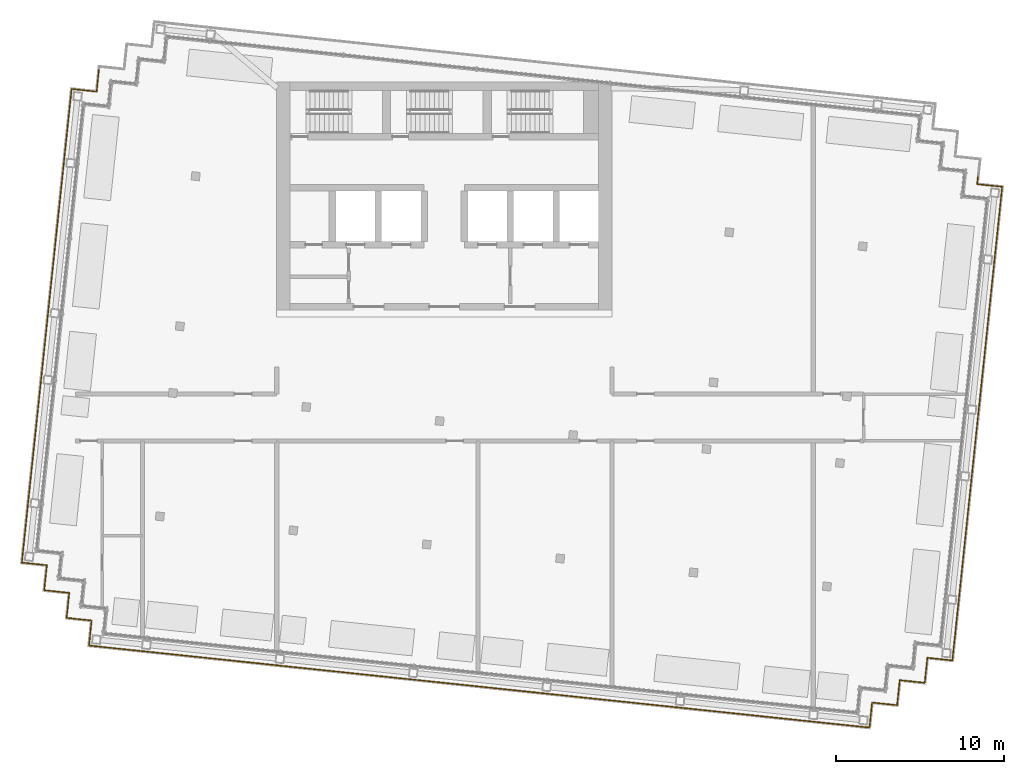
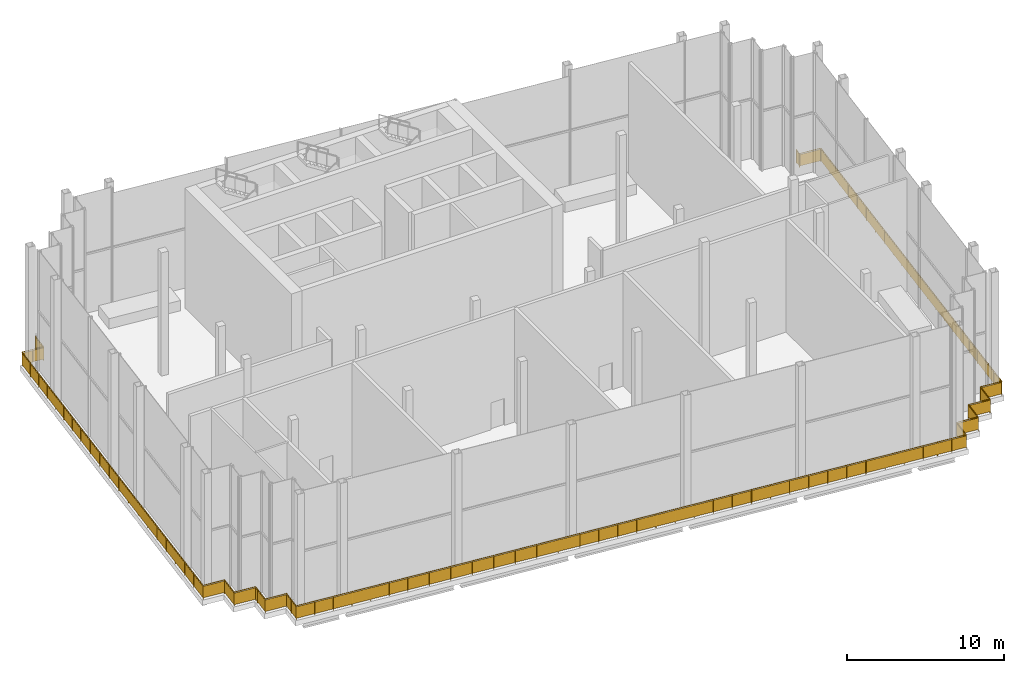
# One storey, part 11 of 14: 11 railings.
"""IFC4 building model written with IfcOpenShell, lengths in metres."""

from ifc_helpers import new_model, si_unit, direction, frame, origin, origin_2d, place, context, subcontext, project, spatial, rectangle, circle, extrude, material, type_object, element, save


model = new_model("IFC4")

# Units and contexts
model_context = context("Model", 3, precision=1e-05, world=origin(), true_north=direction((0.0, 1.0)))
body_context = subcontext(model_context, "Body", "Model", "MODEL_VIEW")
ifc_project = project(units=[si_unit("LENGTHUNIT", "METRE"), si_unit("AREAUNIT", "SQUARE_METRE"), si_unit("VOLUMEUNIT", "CUBIC_METRE"), si_unit("PLANEANGLEUNIT", "RADIAN"), si_unit("MASSUNIT", "GRAM", prefix="KILO")], contexts=[model_context])

# Site, building, storey
site_placement = place(None, origin())
site = spatial("IfcSite", under=ifc_project, at=site_placement, CompositionType="ELEMENT")
building_placement = place(site_placement, origin())
building = spatial("IfcBuilding", under=site, at=building_placement, Name="Vidyagriha Tower", CompositionType="ELEMENT")
storey_placement = place(building_placement, frame((0.0, 0.0, 281.89990234375)))
storey = spatial("IfcBuildingStorey", under=building, at=storey_placement, Name="L74", CompositionType="ELEMENT", Elevation=281.89990234375)

# Railings
ifc_material = material(Name="Steel ASTM A500 Grade C black painted", Category="steel")
railing_type = type_object("IfcRailingType", Name="Gallery guard 1100", PredefinedType="GUARDRAIL", material=ifc_material)
railing_1_placement = place(storey_placement, frame((30.297607421875, -14.485595703125, 0.0)))
element("IfcRailing", 1, at=railing_1_placement, inside=storey, type_object=railing_type, Name="Gallery guard L74 1", PredefinedType="GUARDRAIL", context=body_context, shape_type="SweptSolid", body=[
    extrude(circle(Radius=0.02490234375, at=origin_2d()), frame((0.0, 0.0, 1.0751953125), z_axis=(-0.994525057048, 0.104498377516, 0.0), x_axis=(-0.104498377516, -0.994525057048, 0.0)), (0.0, 0.0, 1.0), 1.5),
    extrude(circle(Radius=0.02490234375, at=origin_2d()), frame((-1.49169921875, 0.15673828125, 1.0751953125), z_axis=(-0.104498377516, -0.994525057048, 0.0), x_axis=(0.994525057048, -0.104498377516, 0.0)), (0.0, 0.0, 1.0), 1.5),
    extrude(circle(Radius=0.02490234375, at=origin_2d()), frame((-1.6484375, -1.3349609375, 1.0751953125), z_axis=(-0.994525057048, 0.104498377516, 0.0), x_axis=(-0.104498377516, -0.994525057048, 0.0)), (0.0, 0.0, 1.0), 1.5),
    extrude(circle(Radius=0.02490234375, at=origin_2d()), frame((-3.14013671875, -1.17822265625, 1.0751953125), z_axis=(-0.104659366031, -0.994508128223, 0.0), x_axis=(0.994508128223, -0.104659366031, 0.0)), (0.0, 0.0, 1.0), 1.5),
    extrude(circle(Radius=0.02490234375, at=origin_2d()), frame((-3.297119140625, -2.669921875, 1.0751953125), z_axis=(-0.994525057048, 0.104498377516, 0.0), x_axis=(-0.104498377516, -0.994525057048, 0.0)), (0.0, 0.0, 1.0), 1.5),
    extrude(circle(Radius=0.02490234375, at=origin_2d()), frame((-4.788818359375, -2.51318359375, 1.0751953125), z_axis=(-0.104498377516, -0.994525057048, 0.0), x_axis=(0.994525057048, -0.104498377516, 0.0)), (0.0, 0.0, 1.0), 1.5),
    extrude(circle(Radius=0.02490234375, at=origin_2d()), frame((-4.945556640625, -4.0048828125, 1.0751953125), z_axis=(-0.994525945657, 0.104489920156, 0.0), x_axis=(-0.104489920156, -0.994525945657, 0.0)), (0.0, 0.0, 1.0), 3.0),
    extrude(circle(Radius=0.02001953125, at=origin_2d()), origin(), (0.0, 0.0, 1.0), 1.050048828125),
    extrude(circle(Radius=0.02001953125, at=origin_2d()), frame((-1.49169921875, 0.15673828125, 0.0)), (0.0, 0.0, 1.0), 1.050048828125),
    extrude(circle(Radius=0.02001953125, at=origin_2d()), frame((-1.6484375, -1.3349609375, 0.0)), (0.0, 0.0, 1.0), 1.050048828125),
    extrude(circle(Radius=0.02001953125, at=origin_2d()), frame((-3.14013671875, -1.17822265625, 0.0)), (0.0, 0.0, 1.0), 1.050048828125),
    extrude(circle(Radius=0.02001953125, at=origin_2d()), frame((-3.297119140625, -2.669921875, 0.0)), (0.0, 0.0, 1.0), 1.050048828125),
    extrude(circle(Radius=0.02001953125, at=origin_2d()), frame((-4.788818359375, -2.51318359375, 0.0)), (0.0, 0.0, 1.0), 1.050048828125),
    extrude(circle(Radius=0.02001953125, at=origin_2d()), frame((-4.945556640625, -4.0048828125, 0.0)), (0.0, 0.0, 1.0), 1.050048828125),
    extrude(circle(Radius=0.02001953125, at=origin_2d()), frame((-5.940185546875, -3.900390625, 0.0)), (0.0, 0.0, 1.0), 1.050048828125),
    extrude(circle(Radius=0.02001953125, at=origin_2d()), frame((-6.9345703125, -3.7958984375, 0.0)), (0.0, 0.0, 1.0), 1.050048828125),
    extrude(circle(Radius=0.02001953125, at=origin_2d()), frame((-7.92919921875, -3.69140625, 0.0)), (0.0, 0.0, 1.0), 1.050048828125),
    extrude(rectangle(XDim=0.010009765625, YDim=0.900146484375, at=origin_2d()), frame((0.0, 0.0, 0.550048828125), z_axis=(-0.994525057048, 0.104498377516, 0.0), x_axis=(-0.104498377516, -0.994525057048, 0.0)), (0.0, 0.0, 1.0), 1.5),
    extrude(rectangle(XDim=0.010009765625, YDim=0.900146484375, at=origin_2d()), frame((-1.49169921875, 0.15673828125, 0.550048828125), z_axis=(-0.104498377516, -0.994525057048, 0.0), x_axis=(0.994525057048, -0.104498377516, 0.0)), (0.0, 0.0, 1.0), 1.5),
    extrude(rectangle(XDim=0.010009765625, YDim=0.900146484375, at=origin_2d()), frame((-1.6484375, -1.3349609375, 0.550048828125), z_axis=(-0.994525057048, 0.104498377516, 0.0), x_axis=(-0.104498377516, -0.994525057048, 0.0)), (0.0, 0.0, 1.0), 1.5),
    extrude(rectangle(XDim=0.010009765625, YDim=0.900146484375, at=origin_2d()), frame((-3.14013671875, -1.17822265625, 0.550048828125), z_axis=(-0.104659366031, -0.994508128223, 0.0), x_axis=(0.994508128223, -0.104659366031, 0.0)), (0.0, 0.0, 1.0), 1.5),
    extrude(rectangle(XDim=0.010009765625, YDim=0.900146484375, at=origin_2d()), frame((-3.297119140625, -2.669921875, 0.550048828125), z_axis=(-0.994525057048, 0.104498377516, 0.0), x_axis=(-0.104498377516, -0.994525057048, 0.0)), (0.0, 0.0, 1.0), 1.5),
    extrude(rectangle(XDim=0.010009765625, YDim=0.900146484375, at=origin_2d()), frame((-4.788818359375, -2.51318359375, 0.550048828125), z_axis=(-0.104498377516, -0.994525057048, 0.0), x_axis=(0.994525057048, -0.104498377516, 0.0)), (0.0, 0.0, 1.0), 1.5),
    extrude(rectangle(XDim=0.010009765625, YDim=0.900146484375, at=origin_2d()), frame((-4.945556640625, -4.0048828125, 0.550048828125), z_axis=(-0.994525945657, 0.104489920156, 0.0), x_axis=(-0.104489920156, -0.994525945657, 0.0)), (0.0, 0.0, 1.0), 3.0),
])
railing_2_placement = place(storey_placement, frame((22.368408203125, -18.177001953125, 0.0)))
element("IfcRailing", 2, at=railing_2_placement, inside=storey, type_object=railing_type, Name="Gallery guard L74 2", PredefinedType="GUARDRAIL", context=body_context, shape_type="SweptSolid", body=[
    extrude(circle(Radius=0.02490234375, at=origin_2d()), frame((0.0, 0.0, 1.0751953125), z_axis=(-0.994521494219, 0.104532279878, 0.0), x_axis=(-0.104532279878, -0.994521494219, 0.0)), (0.0, 0.0, 1.0), 12.0),
    extrude(circle(Radius=0.02001953125, at=origin_2d()), origin(), (0.0, 0.0, 1.0), 1.050048828125),
    extrude(circle(Radius=0.02001953125, at=origin_2d()), frame((-1.325927734375, 0.139404296875, 0.0)), (0.0, 0.0, 1.0), 1.050048828125),
    extrude(circle(Radius=0.02001953125, at=origin_2d()), frame((-2.652099609375, 0.27880859375, 0.0)), (0.0, 0.0, 1.0), 1.050048828125),
    extrude(circle(Radius=0.02001953125, at=origin_2d()), frame((-3.97802734375, 0.418212890625, 0.0)), (0.0, 0.0, 1.0), 1.050048828125),
    extrude(circle(Radius=0.02001953125, at=origin_2d()), frame((-5.30419921875, 0.5576171875, 0.0)), (0.0, 0.0, 1.0), 1.050048828125),
    extrude(circle(Radius=0.02001953125, at=origin_2d()), frame((-6.630126953125, 0.69677734375, 0.0)), (0.0, 0.0, 1.0), 1.050048828125),
    extrude(circle(Radius=0.02001953125, at=origin_2d()), frame((-7.956298828125, 0.836181640625, 0.0)), (0.0, 0.0, 1.0), 1.050048828125),
    extrude(circle(Radius=0.02001953125, at=origin_2d()), frame((-9.2822265625, 0.9755859375, 0.0)), (0.0, 0.0, 1.0), 1.050048828125),
    extrude(circle(Radius=0.02001953125, at=origin_2d()), frame((-10.6083984375, 1.114990234375, 0.0)), (0.0, 0.0, 1.0), 1.050048828125),
    extrude(circle(Radius=0.02001953125, at=origin_2d()), frame((-11.934326171875, 1.25439453125, 0.0)), (0.0, 0.0, 1.0), 1.050048828125),
    extrude(rectangle(XDim=0.010009765625, YDim=0.900146484375, at=origin_2d()), frame((0.0, 0.0, 0.550048828125), z_axis=(-0.994521494219, 0.104532279878, 0.0), x_axis=(-0.104532279878, -0.994521494219, 0.0)), (0.0, 0.0, 1.0), 12.0),
])
railing_3_placement = place(storey_placement, frame((10.43408203125, -16.922607421875, 0.0)))
element("IfcRailing", 3, at=railing_3_placement, inside=storey, type_object=railing_type, Name="Gallery guard L74 3", PredefinedType="GUARDRAIL", context=body_context, shape_type="SweptSolid", body=[
    extrude(circle(Radius=0.02490234375, at=origin_2d()), frame((0.0, 0.0, 1.0751953125), z_axis=(-0.994521494219, 0.104532279878, 0.0), x_axis=(-0.104532279878, -0.994521494219, 0.0)), (0.0, 0.0, 1.0), 12.0),
    extrude(circle(Radius=0.02001953125, at=origin_2d()), origin(), (0.0, 0.0, 1.0), 1.050048828125),
    extrude(circle(Radius=0.02001953125, at=origin_2d()), frame((-1.325927734375, 0.139404296875, 0.0)), (0.0, 0.0, 1.0), 1.050048828125),
    extrude(circle(Radius=0.02001953125, at=origin_2d()), frame((-2.652099609375, 0.27880859375, 0.0)), (0.0, 0.0, 1.0), 1.050048828125),
    extrude(circle(Radius=0.02001953125, at=origin_2d()), frame((-3.97802734375, 0.418212890625, 0.0)), (0.0, 0.0, 1.0), 1.050048828125),
    extrude(circle(Radius=0.02001953125, at=origin_2d()), frame((-5.30419921875, 0.5576171875, 0.0)), (0.0, 0.0, 1.0), 1.050048828125),
    extrude(circle(Radius=0.02001953125, at=origin_2d()), frame((-6.630126953125, 0.69677734375, 0.0)), (0.0, 0.0, 1.0), 1.050048828125),
    extrude(circle(Radius=0.02001953125, at=origin_2d()), frame((-7.956298828125, 0.836181640625, 0.0)), (0.0, 0.0, 1.0), 1.050048828125),
    extrude(circle(Radius=0.02001953125, at=origin_2d()), frame((-9.2822265625, 0.9755859375, 0.0)), (0.0, 0.0, 1.0), 1.050048828125),
    extrude(circle(Radius=0.02001953125, at=origin_2d()), frame((-10.6083984375, 1.114990234375, 0.0)), (0.0, 0.0, 1.0), 1.050048828125),
    extrude(circle(Radius=0.02001953125, at=origin_2d()), frame((-11.934326171875, 1.25439453125, 0.0)), (0.0, 0.0, 1.0), 1.050048828125),
    extrude(rectangle(XDim=0.010009765625, YDim=0.900146484375, at=origin_2d()), frame((0.0, 0.0, 0.550048828125), z_axis=(-0.994521494219, 0.104532279878, 0.0), x_axis=(-0.104532279878, -0.994521494219, 0.0)), (0.0, 0.0, 1.0), 12.0),
])
railing_4_placement = place(storey_placement, frame((-1.500244140625, -15.668212890625, 0.0)))
element("IfcRailing", 4, at=railing_4_placement, inside=storey, type_object=railing_type, Name="Gallery guard L74 4", PredefinedType="GUARDRAIL", context=body_context, shape_type="SweptSolid", body=[
    extrude(circle(Radius=0.02490234375, at=origin_2d()), frame((0.0, 0.0, 1.0751953125), z_axis=(-0.994521271903, 0.104534394972, 0.0), x_axis=(-0.104534394972, -0.994521271903, 0.0)), (0.0, 0.0, 1.0), 11.999755859375),
    extrude(circle(Radius=0.02001953125, at=origin_2d()), origin(), (0.0, 0.0, 1.0), 1.050048828125),
    extrude(circle(Radius=0.02001953125, at=origin_2d()), frame((-1.49169921875, 0.15673828125, 0.0)), (0.0, 0.0, 1.0), 1.050048828125),
    extrude(circle(Radius=0.02001953125, at=origin_2d()), frame((-2.9833984375, 0.3134765625, 0.0)), (0.0, 0.0, 1.0), 1.050048828125),
    extrude(circle(Radius=0.02001953125, at=origin_2d()), frame((-4.475341796875, 0.470458984375, 0.0)), (0.0, 0.0, 1.0), 1.050048828125),
    extrude(circle(Radius=0.02001953125, at=origin_2d()), frame((-5.967041015625, 0.627197265625, 0.0)), (0.0, 0.0, 1.0), 1.050048828125),
    extrude(circle(Radius=0.02001953125, at=origin_2d()), frame((-7.458740234375, 0.783935546875, 0.0)), (0.0, 0.0, 1.0), 1.050048828125),
    extrude(circle(Radius=0.02001953125, at=origin_2d()), frame((-8.95068359375, 0.94091796875, 0.0)), (0.0, 0.0, 1.0), 1.050048828125),
    extrude(circle(Radius=0.02001953125, at=origin_2d()), frame((-10.4423828125, 1.09765625, 0.0)), (0.0, 0.0, 1.0), 1.050048828125),
    extrude(circle(Radius=0.02001953125, at=origin_2d()), frame((-11.93408203125, 1.25439453125, 0.0)), (0.0, 0.0, 1.0), 1.050048828125),
    extrude(rectangle(XDim=0.010009765625, YDim=0.900146484375, at=origin_2d()), frame((0.0, 0.0, 0.550048828125), z_axis=(-0.994521271903, 0.104534394972, 0.0), x_axis=(-0.104534394972, -0.994521271903, 0.0)), (0.0, 0.0, 1.0), 11.999755859375),
])
railing_5_placement = place(storey_placement, frame((-13.434326171875, -14.413818359375, 0.0)))
element("IfcRailing", 5, at=railing_5_placement, inside=storey, type_object=railing_type, Name="Gallery guard L74 5", PredefinedType="GUARDRAIL", context=body_context, shape_type="SweptSolid", body=[
    extrude(circle(Radius=0.02490234375, at=origin_2d()), frame((0.0, 0.0, 1.0751953125), z_axis=(-0.994523788829, 0.10451044662, 0.0), x_axis=(-0.10451044662, -0.994523788829, 0.0)), (0.0, 0.0, 1.0), 7.800048828125),
    extrude(circle(Radius=0.02490234375, at=origin_2d()), frame((-7.75732421875, 0.815185546875, 1.0751953125), z_axis=(0.104481464157, 0.994526834051, 0.0), x_axis=(-0.994526834051, 0.104481464157, 0.0)), (0.0, 0.0, 1.0), 1.500244140625),
    extrude(circle(Radius=0.02490234375, at=origin_2d()), frame((-7.6005859375, 2.30712890625, 1.0751953125), z_axis=(-0.994525057048, 0.104498377516, 0.0), x_axis=(-0.104498377516, -0.994525057048, 0.0)), (0.0, 0.0, 1.0), 1.5),
    extrude(circle(Radius=0.02490234375, at=origin_2d()), frame((-9.09228515625, 2.4638671875, 1.0751953125), z_axis=(0.104578872801, 0.994516595821, 0.0), x_axis=(-0.994516595821, 0.104578872801, 0.0)), (0.0, 0.0, 1.0), 1.199951171875),
    extrude(circle(Radius=0.02001953125, at=origin_2d()), origin(), (0.0, 0.0, 1.0), 1.050048828125),
    extrude(circle(Radius=0.02001953125, at=origin_2d()), frame((-1.29296875, 0.1357421875, 0.0)), (0.0, 0.0, 1.0), 1.050048828125),
    extrude(circle(Radius=0.02001953125, at=origin_2d()), frame((-2.585693359375, 0.271728515625, 0.0)), (0.0, 0.0, 1.0), 1.050048828125),
    extrude(circle(Radius=0.02001953125, at=origin_2d()), frame((-3.878662109375, 0.40771484375, 0.0)), (0.0, 0.0, 1.0), 1.050048828125),
    extrude(circle(Radius=0.02001953125, at=origin_2d()), frame((-5.171630859375, 0.54345703125, 0.0)), (0.0, 0.0, 1.0), 1.050048828125),
    extrude(circle(Radius=0.02001953125, at=origin_2d()), frame((-6.46435546875, 0.67919921875, 0.0)), (0.0, 0.0, 1.0), 1.050048828125),
    extrude(circle(Radius=0.02001953125, at=origin_2d()), frame((-7.75732421875, 0.815185546875, 0.0)), (0.0, 0.0, 1.0), 1.050048828125),
    extrude(circle(Radius=0.02001953125, at=origin_2d()), frame((-7.678955078125, 1.56103515625, 0.0)), (0.0, 0.0, 1.0), 1.050048828125),
    extrude(circle(Radius=0.02001953125, at=origin_2d()), frame((-7.6005859375, 2.30712890625, 0.0)), (0.0, 0.0, 1.0), 1.050048828125),
    extrude(circle(Radius=0.02001953125, at=origin_2d()), frame((-9.09228515625, 2.4638671875, 0.0)), (0.0, 0.0, 1.0), 1.050048828125),
    extrude(circle(Radius=0.02001953125, at=origin_2d()), frame((-8.966796875, 3.6572265625, 0.0)), (0.0, 0.0, 1.0), 1.050048828125),
    extrude(rectangle(XDim=0.010009765625, YDim=0.900146484375, at=origin_2d()), frame((0.0, 0.0, 0.550048828125), z_axis=(-0.994523788829, 0.10451044662, 0.0), x_axis=(-0.10451044662, -0.994523788829, 0.0)), (0.0, 0.0, 1.0), 7.800048828125),
    extrude(rectangle(XDim=0.010009765625, YDim=0.900146484375, at=origin_2d()), frame((-7.75732421875, 0.815185546875, 0.550048828125), z_axis=(0.104481464157, 0.994526834051, 0.0), x_axis=(-0.994526834051, 0.104481464157, 0.0)), (0.0, 0.0, 1.0), 1.500244140625),
    extrude(rectangle(XDim=0.010009765625, YDim=0.900146484375, at=origin_2d()), frame((-7.6005859375, 2.30712890625, 0.550048828125), z_axis=(-0.994525057048, 0.104498377516, 0.0), x_axis=(-0.104498377516, -0.994525057048, 0.0)), (0.0, 0.0, 1.0), 1.5),
    extrude(rectangle(XDim=0.010009765625, YDim=0.900146484375, at=origin_2d()), frame((-9.09228515625, 2.4638671875, 0.550048828125), z_axis=(0.104578872801, 0.994516595821, 0.0), x_axis=(-0.994516595821, 0.104578872801, 0.0)), (0.0, 0.0, 1.0), 1.199951171875),
])
railing_6_placement = place(storey_placement, frame((-22.401123046875, -10.756591796875, 0.0)))
element("IfcRailing", 6, at=railing_6_placement, inside=storey, type_object=railing_type, Name="Gallery guard L74 6", PredefinedType="GUARDRAIL", context=body_context, shape_type="SweptSolid", body=[
    extrude(circle(Radius=0.02490234375, at=origin_2d()), frame((0.0, 0.0, 1.0751953125), z_axis=(0.104176375855, 0.994558838236, 0.0), x_axis=(-0.994558838236, 0.104176375855, 0.0)), (0.0, 0.0, 1.0), 0.300048828125),
    extrude(circle(Radius=0.02490234375, at=origin_2d()), frame((0.03125, 0.29833984375, 1.0751953125), z_axis=(-0.994525057048, 0.104498377516, 0.0), x_axis=(-0.104498377516, -0.994525057048, 0.0)), (0.0, 0.0, 1.0), 1.5),
    extrude(circle(Radius=0.02490234375, at=origin_2d()), frame((-1.46044921875, 0.455078125, 1.0751953125), z_axis=(0.104498377516, 0.994525057048, 0.0), x_axis=(-0.994525057048, 0.104498377516, 0.0)), (0.0, 0.0, 1.0), 1.5),
    extrude(circle(Radius=0.02490234375, at=origin_2d()), frame((-1.3037109375, 1.94677734375, 1.0751953125), z_axis=(-0.994508128223, 0.104659366031, 0.0), x_axis=(-0.104659366031, -0.994508128223, 0.0)), (0.0, 0.0, 1.0), 1.5),
    extrude(circle(Radius=0.02490234375, at=origin_2d()), frame((-2.79541015625, 2.103759765625, 1.0751953125), z_axis=(0.10450474476, 0.994524387998, 0.0), x_axis=(-0.994524387998, 0.10450474476, 0.0)), (0.0, 0.0, 1.0), 7.199951171875),
    extrude(circle(Radius=0.02001953125, at=origin_2d()), origin(), (0.0, 0.0, 1.0), 1.050048828125),
    extrude(circle(Radius=0.02001953125, at=origin_2d()), frame((0.03125, 0.29833984375, 0.0)), (0.0, 0.0, 1.0), 1.050048828125),
    extrude(circle(Radius=0.02001953125, at=origin_2d()), frame((-1.46044921875, 0.455078125, 0.0)), (0.0, 0.0, 1.0), 1.050048828125),
    extrude(circle(Radius=0.02001953125, at=origin_2d()), frame((-1.3037109375, 1.94677734375, 0.0)), (0.0, 0.0, 1.0), 1.050048828125),
    extrude(circle(Radius=0.02001953125, at=origin_2d()), frame((-2.79541015625, 2.103759765625, 0.0)), (0.0, 0.0, 1.0), 1.050048828125),
    extrude(circle(Radius=0.02001953125, at=origin_2d()), frame((-2.64501953125, 3.535888671875, 0.0)), (0.0, 0.0, 1.0), 1.050048828125),
    extrude(circle(Radius=0.02001953125, at=origin_2d()), frame((-2.494384765625, 4.968017578125, 0.0)), (0.0, 0.0, 1.0), 1.050048828125),
    extrude(circle(Radius=0.02001953125, at=origin_2d()), frame((-2.343994140625, 6.400146484375, 0.0)), (0.0, 0.0, 1.0), 1.050048828125),
    extrude(circle(Radius=0.02001953125, at=origin_2d()), frame((-2.193359375, 7.832275390625, 0.0)), (0.0, 0.0, 1.0), 1.050048828125),
    extrude(circle(Radius=0.02001953125, at=origin_2d()), frame((-2.04296875, 9.264404296875, 0.0)), (0.0, 0.0, 1.0), 1.050048828125),
    extrude(rectangle(XDim=0.010009765625, YDim=0.900146484375, at=origin_2d()), frame((0.0, 0.0, 0.550048828125), z_axis=(0.104176375855, 0.994558838236, 0.0), x_axis=(-0.994558838236, 0.104176375855, 0.0)), (0.0, 0.0, 1.0), 0.300048828125),
    extrude(rectangle(XDim=0.010009765625, YDim=0.900146484375, at=origin_2d()), frame((0.03125, 0.29833984375, 0.550048828125), z_axis=(-0.994525057048, 0.104498377516, 0.0), x_axis=(-0.104498377516, -0.994525057048, 0.0)), (0.0, 0.0, 1.0), 1.5),
    extrude(rectangle(XDim=0.010009765625, YDim=0.900146484375, at=origin_2d()), frame((-1.46044921875, 0.455078125, 0.550048828125), z_axis=(0.104498377516, 0.994525057048, 0.0), x_axis=(-0.994525057048, 0.104498377516, 0.0)), (0.0, 0.0, 1.0), 1.5),
    extrude(rectangle(XDim=0.010009765625, YDim=0.900146484375, at=origin_2d()), frame((-1.3037109375, 1.94677734375, 0.550048828125), z_axis=(-0.994508128223, 0.104659366031, 0.0), x_axis=(-0.104659366031, -0.994508128223, 0.0)), (0.0, 0.0, 1.0), 1.5),
    extrude(rectangle(XDim=0.010009765625, YDim=0.900146484375, at=origin_2d()), frame((-2.79541015625, 2.103759765625, 0.550048828125), z_axis=(0.10450474476, 0.994524387998, 0.0), x_axis=(-0.994524387998, 0.10450474476, 0.0)), (0.0, 0.0, 1.0), 7.199951171875),
])
railing_7_placement = place(storey_placement, frame((-24.444091796875, -1.4921875, 0.0)))
element("IfcRailing", 7, at=railing_7_placement, inside=storey, type_object=railing_type, Name="Gallery guard L74 7", PredefinedType="GUARDRAIL", context=body_context, shape_type="SweptSolid", body=[
    extrude(circle(Radius=0.02490234375, at=origin_2d()), frame((0.0, 0.0, 1.0751953125), z_axis=(0.104534394972, 0.994521271903, 0.0), x_axis=(-0.994521271903, 0.104534394972, 0.0)), (0.0, 0.0, 1.0), 11.999755859375),
    extrude(circle(Radius=0.02001953125, at=origin_2d()), origin(), (0.0, 0.0, 1.0), 1.050048828125),
    extrude(circle(Radius=0.02001953125, at=origin_2d()), frame((0.15673828125, 1.49169921875, 0.0)), (0.0, 0.0, 1.0), 1.050048828125),
    extrude(circle(Radius=0.02001953125, at=origin_2d()), frame((0.3134765625, 2.9833984375, 0.0)), (0.0, 0.0, 1.0), 1.050048828125),
    extrude(circle(Radius=0.02001953125, at=origin_2d()), frame((0.470458984375, 4.475341796875, 0.0)), (0.0, 0.0, 1.0), 1.050048828125),
    extrude(circle(Radius=0.02001953125, at=origin_2d()), frame((0.627197265625, 5.967041015625, 0.0)), (0.0, 0.0, 1.0), 1.050048828125),
    extrude(circle(Radius=0.02001953125, at=origin_2d()), frame((0.783935546875, 7.458740234375, 0.0)), (0.0, 0.0, 1.0), 1.050048828125),
    extrude(circle(Radius=0.02001953125, at=origin_2d()), frame((0.94091796875, 8.95068359375, 0.0)), (0.0, 0.0, 1.0), 1.050048828125),
    extrude(circle(Radius=0.02001953125, at=origin_2d()), frame((1.09765625, 10.4423828125, 0.0)), (0.0, 0.0, 1.0), 1.050048828125),
    extrude(circle(Radius=0.02001953125, at=origin_2d()), frame((1.25439453125, 11.93408203125, 0.0)), (0.0, 0.0, 1.0), 1.050048828125),
    extrude(rectangle(XDim=0.010009765625, YDim=0.900146484375, at=origin_2d()), frame((0.0, 0.0, 0.550048828125), z_axis=(0.104534394972, 0.994521271903, 0.0), x_axis=(-0.994521271903, 0.104534394972, 0.0)), (0.0, 0.0, 1.0), 11.999755859375),
])
railing_8_placement = place(storey_placement, frame((-23.189697265625, 10.44189453125, 0.0)))
element("IfcRailing", 8, at=railing_8_placement, inside=storey, type_object=railing_type, Name="Gallery guard L74 8", PredefinedType="GUARDRAIL", context=body_context, shape_type="SweptSolid", body=[
    extrude(circle(Radius=0.02490234375, at=origin_2d()), frame((0.0, 0.0, 1.0751953125), z_axis=(0.104528688334, 0.994521871713, 0.0), x_axis=(-0.994521871713, 0.104528688334, 0.0)), (0.0, 0.0, 1.0), 9.199951171875),
    extrude(circle(Radius=0.02490234375, at=origin_2d()), frame((0.961669921875, 9.149658203125, 1.0751953125), z_axis=(0.994526834051, -0.104481464157, 0.0), x_axis=(0.104481464157, 0.994526834051, 0.0)), (0.0, 0.0, 1.0), 1.500244140625),
    extrude(circle(Radius=0.02490234375, at=origin_2d()), frame((2.45361328125, 8.992919921875, 1.0751953125), z_axis=(0.104411070641, 0.994534226826, 0.0), x_axis=(-0.994534226826, 0.104411070641, 0.0)), (0.0, 0.0, 1.0), 1.300048828125),
    extrude(circle(Radius=0.02001953125, at=origin_2d()), origin(), (0.0, 0.0, 1.0), 1.050048828125),
    extrude(circle(Radius=0.02001953125, at=origin_2d()), frame((0.137451171875, 1.30712890625, 0.0)), (0.0, 0.0, 1.0), 1.050048828125),
    extrude(circle(Radius=0.02001953125, at=origin_2d()), frame((0.274658203125, 2.6142578125, 0.0)), (0.0, 0.0, 1.0), 1.050048828125),
    extrude(circle(Radius=0.02001953125, at=origin_2d()), frame((0.412109375, 3.92138671875, 0.0)), (0.0, 0.0, 1.0), 1.050048828125),
    extrude(circle(Radius=0.02001953125, at=origin_2d()), frame((0.549560546875, 5.228271484375, 0.0)), (0.0, 0.0, 1.0), 1.050048828125),
    extrude(circle(Radius=0.02001953125, at=origin_2d()), frame((0.68701171875, 6.535400390625, 0.0)), (0.0, 0.0, 1.0), 1.050048828125),
    extrude(circle(Radius=0.02001953125, at=origin_2d()), frame((0.82421875, 7.842529296875, 0.0)), (0.0, 0.0, 1.0), 1.050048828125),
    extrude(circle(Radius=0.02001953125, at=origin_2d()), frame((0.961669921875, 9.149658203125, 0.0)), (0.0, 0.0, 1.0), 1.050048828125),
    extrude(circle(Radius=0.02001953125, at=origin_2d()), frame((1.70751953125, 9.0712890625, 0.0)), (0.0, 0.0, 1.0), 1.050048828125),
    extrude(circle(Radius=0.02001953125, at=origin_2d()), frame((2.45361328125, 8.992919921875, 0.0)), (0.0, 0.0, 1.0), 1.050048828125),
    extrude(circle(Radius=0.02001953125, at=origin_2d()), frame((2.58935546875, 10.285888671875, 0.0)), (0.0, 0.0, 1.0), 1.050048828125),
    extrude(rectangle(XDim=0.010009765625, YDim=0.900146484375, at=origin_2d()), frame((0.0, 0.0, 0.550048828125), z_axis=(0.104528688334, 0.994521871713, 0.0), x_axis=(-0.994521871713, 0.104528688334, 0.0)), (0.0, 0.0, 1.0), 9.199951171875),
    extrude(rectangle(XDim=0.010009765625, YDim=0.900146484375, at=origin_2d()), frame((0.961669921875, 9.149658203125, 0.550048828125), z_axis=(0.994526834051, -0.104481464157, 0.0), x_axis=(0.104481464157, 0.994526834051, 0.0)), (0.0, 0.0, 1.0), 1.500244140625),
    extrude(rectangle(XDim=0.010009765625, YDim=0.900146484375, at=origin_2d()), frame((2.45361328125, 8.992919921875, 0.550048828125), z_axis=(0.104411070641, 0.994534226826, 0.0), x_axis=(-0.994534226826, 0.104411070641, 0.0)), (0.0, 0.0, 1.0), 1.300048828125),
])
railing_9_placement = place(storey_placement, frame((31.826904296875, 14.412841796875, 0.0)))
element("IfcRailing", 9, at=railing_9_placement, inside=storey, type_object=railing_type, Name="Gallery guard L74 14", PredefinedType="GUARDRAIL", context=body_context, shape_type="SweptSolid", body=[
    extrude(circle(Radius=0.02490234375, at=origin_2d()), frame((0.0, 0.0, 1.0751953125), z_axis=(-0.104481464157, -0.994526834051, 0.0), x_axis=(0.994526834051, -0.104481464157, 0.0)), (0.0, 0.0, 1.0), 0.5),
    extrude(circle(Radius=0.02490234375, at=origin_2d()), frame((-0.05224609375, -0.497314453125, 1.0751953125), z_axis=(0.994525057048, -0.104498377516, 0.0), x_axis=(0.104498377516, 0.994525057048, 0.0)), (0.0, 0.0, 1.0), 1.5),
    extrude(circle(Radius=0.02490234375, at=origin_2d()), frame((1.439453125, -0.654052734375, 1.0751953125), z_axis=(-0.104539905878, -0.994520692635, 0.0), x_axis=(0.994520692635, -0.104539905878, 0.0)), (0.0, 0.0, 1.0), 10.0),
    extrude(circle(Radius=0.02001953125, at=origin_2d()), origin(), (0.0, 0.0, 1.0), 1.050048828125),
    extrude(circle(Radius=0.02001953125, at=origin_2d()), frame((-0.05224609375, -0.497314453125, 0.0)), (0.0, 0.0, 1.0), 1.050048828125),
    extrude(circle(Radius=0.02001953125, at=origin_2d()), frame((1.439453125, -0.654052734375, 0.0)), (0.0, 0.0, 1.0), 1.050048828125),
    extrude(circle(Radius=0.02001953125, at=origin_2d()), frame((1.2900390625, -2.07470703125, 0.0)), (0.0, 0.0, 1.0), 1.050048828125),
    extrude(circle(Radius=0.02001953125, at=origin_2d()), frame((1.140869140625, -3.49560546875, 0.0)), (0.0, 0.0, 1.0), 1.050048828125),
    extrude(circle(Radius=0.02001953125, at=origin_2d()), frame((0.991455078125, -4.916259765625, 0.0)), (0.0, 0.0, 1.0), 1.050048828125),
    extrude(circle(Radius=0.02001953125, at=origin_2d()), frame((0.842041015625, -6.337158203125, 0.0)), (0.0, 0.0, 1.0), 1.050048828125),
    extrude(circle(Radius=0.02001953125, at=origin_2d()), frame((0.692626953125, -7.7578125, 0.0)), (0.0, 0.0, 1.0), 1.050048828125),
    extrude(circle(Radius=0.02001953125, at=origin_2d()), frame((0.54345703125, -9.1787109375, 0.0)), (0.0, 0.0, 1.0), 1.050048828125),
    extrude(circle(Radius=0.02001953125, at=origin_2d()), frame((0.39404296875, -10.599365234375, 0.0)), (0.0, 0.0, 1.0), 1.050048828125),
    extrude(rectangle(XDim=0.010009765625, YDim=0.900146484375, at=origin_2d()), frame((0.0, 0.0, 0.550048828125), z_axis=(-0.104481464157, -0.994526834051, 0.0), x_axis=(0.994526834051, -0.104481464157, 0.0)), (0.0, 0.0, 1.0), 0.5),
    extrude(rectangle(XDim=0.010009765625, YDim=0.900146484375, at=origin_2d()), frame((-0.05224609375, -0.497314453125, 0.550048828125), z_axis=(0.994525057048, -0.104498377516, 0.0), x_axis=(0.104498377516, 0.994525057048, 0.0)), (0.0, 0.0, 1.0), 1.5),
    extrude(rectangle(XDim=0.010009765625, YDim=0.900146484375, at=origin_2d()), frame((1.439453125, -0.654052734375, 0.550048828125), z_axis=(-0.104539905878, -0.994520692635, 0.0), x_axis=(0.994520692635, -0.104539905878, 0.0)), (0.0, 0.0, 1.0), 10.0),
])
railing_10_placement = place(storey_placement, frame((32.220947265625, 3.8134765625, 0.0)))
element("IfcRailing", 10, at=railing_10_placement, inside=storey, type_object=railing_type, Name="Gallery guard L74 15", PredefinedType="GUARDRAIL", context=body_context, shape_type="SweptSolid", body=[
    extrude(circle(Radius=0.02490234375, at=origin_2d()), frame((0.0, 0.0, 1.0751953125), z_axis=(-0.104512157188, -0.994523609071, 0.0), x_axis=(0.994523609071, -0.104512157188, 0.0)), (0.0, 0.0, 1.0), 12.0),
    extrude(circle(Radius=0.02001953125, at=origin_2d()), origin(), (0.0, 0.0, 1.0), 1.050048828125),
    extrude(circle(Radius=0.02001953125, at=origin_2d()), frame((-0.139404296875, -1.325927734375, 0.0)), (0.0, 0.0, 1.0), 1.050048828125),
    extrude(circle(Radius=0.02001953125, at=origin_2d()), frame((-0.27880859375, -2.652099609375, 0.0)), (0.0, 0.0, 1.0), 1.050048828125),
    extrude(circle(Radius=0.02001953125, at=origin_2d()), frame((-0.41796875, -3.97802734375, 0.0)), (0.0, 0.0, 1.0), 1.050048828125),
    extrude(circle(Radius=0.02001953125, at=origin_2d()), frame((-0.557373046875, -5.30419921875, 0.0)), (0.0, 0.0, 1.0), 1.050048828125),
    extrude(circle(Radius=0.02001953125, at=origin_2d()), frame((-0.69677734375, -6.630126953125, 0.0)), (0.0, 0.0, 1.0), 1.050048828125),
    extrude(circle(Radius=0.02001953125, at=origin_2d()), frame((-0.836181640625, -7.956298828125, 0.0)), (0.0, 0.0, 1.0), 1.050048828125),
    extrude(circle(Radius=0.02001953125, at=origin_2d()), frame((-0.975341796875, -9.2822265625, 0.0)), (0.0, 0.0, 1.0), 1.050048828125),
    extrude(circle(Radius=0.02001953125, at=origin_2d()), frame((-1.11474609375, -10.6083984375, 0.0)), (0.0, 0.0, 1.0), 1.050048828125),
    extrude(circle(Radius=0.02001953125, at=origin_2d()), frame((-1.254150390625, -11.934326171875, 0.0)), (0.0, 0.0, 1.0), 1.050048828125),
    extrude(rectangle(XDim=0.010009765625, YDim=0.900146484375, at=origin_2d()), frame((0.0, 0.0, 0.550048828125), z_axis=(-0.104512157188, -0.994523609071, 0.0), x_axis=(0.994523609071, -0.104512157188, 0.0)), (0.0, 0.0, 1.0), 12.0),
])
railing_11_placement = place(storey_placement, frame((30.966796875, -8.120849609375, 0.0)))
element("IfcRailing", 11, at=railing_11_placement, inside=storey, type_object=railing_type, Name="Gallery guard L74 16", PredefinedType="GUARDRAIL", context=body_context, shape_type="SweptSolid", body=[
    extrude(circle(Radius=0.02490234375, at=origin_2d()), frame((0.0, 0.0, 1.0751953125), z_axis=(-0.104563650797, -0.994518196381, 0.0), x_axis=(0.994518196381, -0.104563650797, 0.0)), (0.0, 0.0, 1.0), 6.39990234375),
    extrude(circle(Radius=0.02001953125, at=origin_2d()), origin(), (0.0, 0.0, 1.0), 1.050048828125),
    extrude(circle(Radius=0.02001953125, at=origin_2d()), frame((-0.1337890625, -1.27294921875, 0.0)), (0.0, 0.0, 1.0), 1.050048828125),
    extrude(circle(Radius=0.02001953125, at=origin_2d()), frame((-0.267578125, -2.5458984375, 0.0)), (0.0, 0.0, 1.0), 1.050048828125),
    extrude(circle(Radius=0.02001953125, at=origin_2d()), frame((-0.401611328125, -3.81884765625, 0.0)), (0.0, 0.0, 1.0), 1.050048828125),
    extrude(circle(Radius=0.02001953125, at=origin_2d()), frame((-0.535400390625, -5.091796875, 0.0)), (0.0, 0.0, 1.0), 1.050048828125),
    extrude(circle(Radius=0.02001953125, at=origin_2d()), frame((-0.669189453125, -6.36474609375, 0.0)), (0.0, 0.0, 1.0), 1.050048828125),
    extrude(rectangle(XDim=0.010009765625, YDim=0.900146484375, at=origin_2d()), frame((0.0, 0.0, 0.550048828125), z_axis=(-0.104563650797, -0.994518196381, 0.0), x_axis=(0.994518196381, -0.104563650797, 0.0)), (0.0, 0.0, 1.0), 6.39990234375),
])

save(model, "model.ifc")
